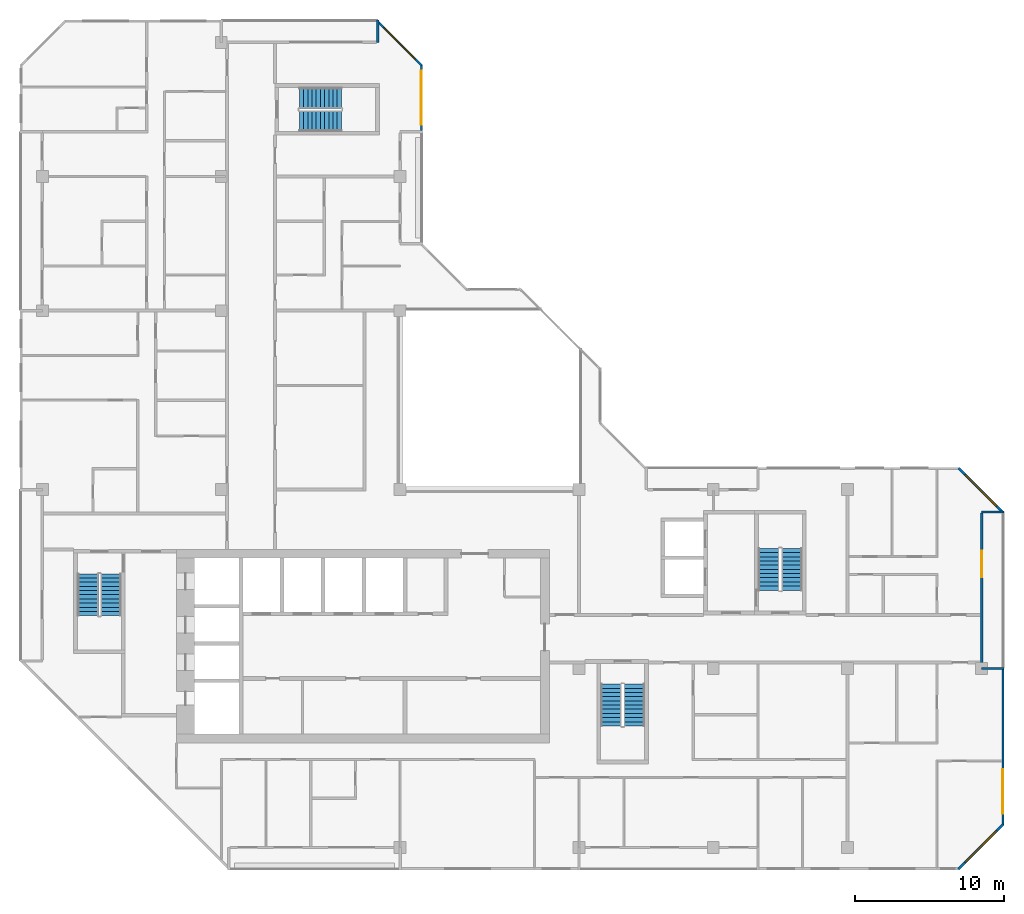
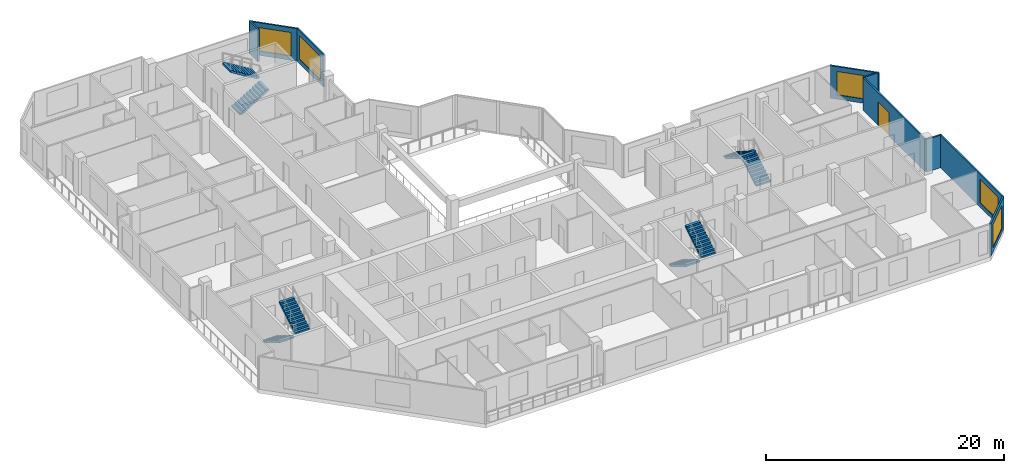
# One storey, part 11 of 13: 9 walls, 8 stair flights, 5 windows, 1 door, 6 openings, 4 elements without a shape of their own.
"""IFC4 building model written with IfcOpenShell, lengths in metres."""

from ifc_helpers import new_model, si_unit, direction, frame, frame_2d, origin, place, context, subcontext, project, spatial, polyline, rectangle, outline, extrude, material, layer, layer_set, type_object, element, fill, aggregate, save


model = new_model("IFC4")

# Units and contexts
model_context = context("Model", 3, precision=1e-05, world=origin(), true_north=direction((0.0, 1.0)))
body_context = subcontext(model_context, "Body", "Model", "MODEL_VIEW")
ifc_project = project(units=[si_unit("LENGTHUNIT", "METRE"), si_unit("AREAUNIT", "SQUARE_METRE"), si_unit("VOLUMEUNIT", "CUBIC_METRE"), si_unit("PLANEANGLEUNIT", "RADIAN"), si_unit("MASSUNIT", "GRAM", prefix="KILO")], contexts=[model_context])

# Site, building, storey
site_placement = place(None, origin())
site = spatial("IfcSite", under=ifc_project, at=site_placement, CompositionType="ELEMENT")
building_placement = place(site_placement, origin())
building = spatial("IfcBuilding", under=site, at=building_placement, Name="Chenar Terraces", CompositionType="ELEMENT")
storey_placement = place(building_placement, frame((0.0, 0.0, 314.64990234375)))
storey = spatial("IfcBuildingStorey", under=building, at=storey_placement, Name="L74", CompositionType="ELEMENT", Elevation=314.64990234375)

# Wall, opening, window
ifc_material_1 = material(Name="Aluminium framed glazing", Category="aluminium")
ifc_layer_1 = layer(ifc_material_1, 0.14990234375)
ifc_layer_set_1 = layer_set([ifc_layer_1], Name="Aluminium framed glazing")
wall_type_1 = type_object("IfcWallType", Name="Glazed flush facade wall 150", PredefinedType="SOLIDWALL", material=ifc_layer_set_1)
wall_1_placement = place(storey_placement, frame((25.425048828125, 48.074951171875, 0.0), z_axis=(0.0, 0.0, 1.0), x_axis=(0.0, 1.0, 0.0)))
wall_1 = element("IfcWall", 1, at=wall_1_placement, inside=storey, type_object=wall_type_1, Name="Glazed flush facade wall", PredefinedType="SOLIDWALL", context=body_context, shape_type="SweptSolid", body=[
    extrude(rectangle(XDim=4.425048828125, YDim=0.14990234375, at=frame_2d((2.21240234375, 0.0))), origin(), (0.0, 0.0, 1.0), 3.35009765625),
])
opening_1_placement = place(wall_1_placement, frame((0.41259765625, 0.0, 0.449951171875)))
opening_1 = element("IfcOpeningElement", 2, at=opening_1_placement, cuts=wall_1, Name="Opening W360x240", PredefinedType="OPENING", context=body_context, shape_type="SweptSolid", body=[
    extrude(rectangle(XDim=3.60009765625, YDim=2.39990234375, at=frame_2d((1.800048828125, 1.199951171875))), frame((0.0, 0.0849609375, 0.0), z_axis=(0.0, -1.0, 0.0), x_axis=(1.0, 0.0, 0.0)), (0.0, 0.0, 1.0), 0.169921875),
])
ifc_material_2 = material(Name="Low emissivity double glazing, aluminium frame", Category="aluminium")
window_type_1 = type_object("IfcWindowType", Name="Fixed light 3600 x 2400", PartitioningType="SINGLE_PANEL", PredefinedType="WINDOW", material=ifc_material_2)
window_1_placement = place(opening_1_placement, origin())
window_1 = element("IfcWindow", 3, at=window_1_placement, inside=storey, type_object=window_type_1, Name="Window", OverallHeight=2.39990234375, OverallWidth=3.60009765625, PartitioningType="SINGLE_PANEL", PredefinedType="WINDOW", context=body_context, shape_type="SweptSolid", body=[
    extrude(rectangle(XDim=3.60009765625, YDim=2.39990234375, at=frame_2d((1.800048828125, 1.199951171875))), frame((0.0, 0.030029296875, 0.0), z_axis=(0.0, -1.0, 0.0), x_axis=(1.0, 0.0, 0.0)), (0.0, 0.0, 1.0), 0.06005859375),
])
fill(opening_1, window_1)

wall_2_placement = place(storey_placement, frame((64.425048828125, 1.5, 0.0), z_axis=(0.0, 0.0, 1.0), x_axis=(0.0, 1.0, 0.0)))
wall_2 = element("IfcWall", 4, at=wall_2_placement, inside=storey, type_object=wall_type_1, Name="Glazed flush facade wall", PredefinedType="SOLIDWALL", context=body_context, shape_type="SweptSolid", body=[
    extrude(rectangle(XDim=10.425048828125, YDim=0.14990234375, at=frame_2d((5.21240234375, 0.0))), origin(), (0.0, 0.0, 1.0), 3.35009765625),
])
opening_2_placement = place(wall_2_placement, frame((0.75, 0.0, 0.449951171875)))
opening_2 = element("IfcOpeningElement", 5, at=opening_2_placement, cuts=wall_2, Name="Opening W300x240", PredefinedType="OPENING", context=body_context, shape_type="SweptSolid", body=[
    extrude(rectangle(XDim=3.0, YDim=2.39990234375, at=frame_2d((1.5, 1.199951171875))), frame((0.0, 0.0849609375, 0.0), z_axis=(0.0, -1.0, 0.0), x_axis=(1.0, 0.0, 0.0)), (0.0, 0.0, 1.0), 0.169921875),
])
ifc_material_3 = material(Name="Low emissivity double glazing, aluminium frame", Category="aluminium")
window_type_2 = type_object("IfcWindowType", Name="Fixed light 3000 x 2400", PartitioningType="SINGLE_PANEL", PredefinedType="WINDOW", material=ifc_material_3)
window_2_placement = place(opening_2_placement, origin())
window_2 = element("IfcWindow", 6, at=window_2_placement, inside=storey, type_object=window_type_2, Name="Window", OverallHeight=2.39990234375, OverallWidth=3.0, PartitioningType="SINGLE_PANEL", PredefinedType="WINDOW", context=body_context, shape_type="SweptSolid", body=[
    extrude(rectangle(XDim=3.0, YDim=2.39990234375, at=frame_2d((1.5, 1.199951171875))), frame((0.0, 0.030029296875, 0.0), z_axis=(0.0, -1.0, 0.0), x_axis=(1.0, 0.0, 0.0)), (0.0, 0.0, 1.0), 0.06005859375),
])
fill(opening_2, window_2)

# Wall, opening, door
ifc_material_4 = material(Name="Aluminium framed glazing", Category="aluminium")
ifc_layer_2 = layer(ifc_material_4, 0.14990234375)
ifc_layer_set_2 = layer_set([ifc_layer_2], Name="Aluminium framed glazing")
wall_type_2 = type_object("IfcWallType", Name="Glazed loggia back wall 150", PredefinedType="SOLIDWALL", material=ifc_layer_set_2)
wall_3_placement = place(storey_placement, frame((63.0, 12.074951171875, 0.0), z_axis=(0.0, 0.0, 1.0), x_axis=(0.0, 1.0, 0.0)))
wall_3 = element("IfcWall", 7, at=wall_3_placement, inside=storey, type_object=wall_type_2, Name="Glazed loggia back wall", PredefinedType="SOLIDWALL", context=body_context, shape_type="SweptSolid", body=[
    extrude(rectangle(XDim=10.35009765625, YDim=0.14990234375, at=frame_2d((5.175048828125, 0.0))), origin(), (0.0, 0.0, 1.0), 3.35009765625),
])
opening_3_placement = place(wall_3_placement, frame((6.03759765625, 0.0, 0.0)))
opening_3 = element("IfcOpeningElement", 8, at=opening_3_placement, cuts=wall_3, Name="Opening DL74-G6", PredefinedType="OPENING", context=body_context, shape_type="SweptSolid", body=[
    extrude(rectangle(XDim=1.800048828125, YDim=2.39990234375, at=frame_2d((0.89990234375, 1.199951171875))), frame((0.0, 0.0849609375, 0.0), z_axis=(0.0, -1.0, 0.0), x_axis=(1.0, 0.0, 0.0)), (0.0, 0.0, 1.0), 0.169921875),
])
ifc_material_5 = material(Name="Low emissivity double glazing, aluminium frame", Category="aluminium")
door_type = type_object("IfcDoorType", Name="Loggia glazed double door 1800 x 2400", OperationType="DOUBLE_DOOR_SINGLE_SWING", PredefinedType="DOOR", material=ifc_material_5)
door_placement = place(opening_3_placement, frame((1.800048828125, 0.0, 0.0), z_axis=(0.0, 0.0, 1.0), x_axis=(-1.0, 0.0, 0.0)))
door = element("IfcDoor", 9, at=door_placement, inside=storey, type_object=door_type, Name="Loggia glazed door", OperationType="DOUBLE_DOOR_SINGLE_SWING", OverallHeight=2.39990234375, OverallWidth=1.800048828125, PredefinedType="DOOR", context=body_context, shape_type="SweptSolid", body=[
    extrude(rectangle(XDim=1.800048828125, YDim=2.39990234375, at=frame_2d((0.89990234375, 1.199951171875))), frame((0.0, 0.02490234375, 0.0), z_axis=(0.0, -1.0, 0.0), x_axis=(1.0, 0.0, 0.0)), (0.0, 0.0, 1.0), 0.050048828125),
])
fill(opening_3, door)

# Walls
ifc_material_6 = material(Name="Terracotta cladding on insulated backing", Category="masonry")
ifc_layer_3 = layer(ifc_material_6, 0.14990234375)
ifc_layer_set_3 = layer_set([ifc_layer_3], Name="Terracotta cladding on insulated backing")
wall_type_3 = type_object("IfcWallType", Name="Loggia return wall 150", PredefinedType="SOLIDWALL", material=ifc_layer_set_3)
for number, where, z_axis, x_axis, name in (
    (10, (22.5, 55.5, 0.0), (0.0, 0.0, 1.0), (0.0, -1.0, 0.0), "Loggia return wall"),
    (11, (64.5, 12.0, 0.0), (0.0, 0.0, 1.0), (-1.0, 0.0, 0.0), "Loggia return wall"),
    (12, (64.5, 22.5, 0.0), (0.0, 0.0, 1.0), (-1.0, 0.0, 0.0), "Loggia return wall"),
):
    element("IfcWall", number, at=place(storey_placement, frame(where, z_axis=z_axis, x_axis=x_axis)), inside=storey, type_object=wall_type_3, Name=name, PredefinedType="SOLIDWALL", context=body_context, shape_type="SweptSolid", body=[
        extrude(rectangle(XDim=1.5, YDim=0.14990234375, at=frame_2d((0.75, 0.0))), origin(), (0.0, 0.0, 1.0), 3.35009765625),
    ])

# Wall, opening, window
ifc_material_7 = material(Name="Terracotta cladding on insulated backing", Category="masonry")
ifc_layer_4 = layer(ifc_material_7, 0.14990234375)
ifc_layer_set_4 = layer_set([ifc_layer_4], Name="Terracotta cladding on insulated backing")
wall_type_4 = type_object("IfcWallType", Name="Terracotta rainscreen wall 150", PredefinedType="SOLIDWALL", material=ifc_layer_set_4)
wall_4_placement = place(storey_placement, frame((25.447021484375, 52.447021484375, 0.0), z_axis=(0.0, 0.0, 1.0), x_axis=(-0.707106781187, 0.707106781187, 0.0)))
wall_4 = element("IfcWall", 13, at=wall_4_placement, inside=storey, type_object=wall_type_4, Name="Terracotta rainscreen wall", PredefinedType="SOLIDWALL", context=body_context, shape_type="SweptSolid", body=[
    extrude(rectangle(XDim=4.24267578125, YDim=0.14990234375, at=frame_2d((2.121337890625, 0.0))), origin(), (0.0, 0.0, 1.0), 3.35009765625),
])
opening_4_placement = place(wall_4_placement, frame((0.621337890625, 0.0, 0.449951171875)))
opening_4 = element("IfcOpeningElement", 14, at=opening_4_placement, cuts=wall_4, Name="Opening W300x240", PredefinedType="OPENING", context=body_context, shape_type="SweptSolid", body=[
    extrude(rectangle(XDim=3.0, YDim=2.39990234375, at=frame_2d((1.5, 1.199951171875))), frame((0.0, 0.0849609375, 0.0), z_axis=(0.0, -1.0, 0.0), x_axis=(1.0, 0.0, 0.0)), (0.0, 0.0, 1.0), 0.169921875),
])
window_3_placement = place(opening_4_placement, origin())
window_3 = element("IfcWindow", 15, at=window_3_placement, inside=storey, type_object=window_type_2, Name="Window", OverallHeight=2.39990234375, OverallWidth=3.0, PartitioningType="SINGLE_PANEL", PredefinedType="WINDOW", context=body_context, shape_type="SweptSolid", body=[
    extrude(rectangle(XDim=3.0, YDim=2.39990234375, at=frame_2d((1.5, 1.199951171875))), frame((0.0, 0.030029296875, 0.0), z_axis=(0.0, -1.0, 0.0), x_axis=(1.0, 0.0, 0.0)), (0.0, 0.0, 1.0), 0.06005859375),
])
fill(opening_4, window_3)

wall_5_placement = place(storey_placement, frame((61.447021484375, -1.447021484375, 0.0), z_axis=(0.0, 0.0, 1.0), x_axis=(0.707106781187, 0.707106781187, 0.0)))
wall_5 = element("IfcWall", 16, at=wall_5_placement, inside=storey, type_object=wall_type_4, Name="Terracotta rainscreen wall", PredefinedType="SOLIDWALL", context=body_context, shape_type="SweptSolid", body=[
    extrude(rectangle(XDim=4.24267578125, YDim=0.14990234375, at=frame_2d((2.121337890625, 0.0))), origin(), (0.0, 0.0, 1.0), 3.35009765625),
])
opening_5_placement = place(wall_5_placement, frame((0.621337890625, 0.0, 0.449951171875)))
opening_5 = element("IfcOpeningElement", 17, at=opening_5_placement, cuts=wall_5, Name="Opening W300x240", PredefinedType="OPENING", context=body_context, shape_type="SweptSolid", body=[
    extrude(rectangle(XDim=3.0, YDim=2.39990234375, at=frame_2d((1.5, 1.199951171875))), frame((0.0, 0.0849609375, 0.0), z_axis=(0.0, -1.0, 0.0), x_axis=(1.0, 0.0, 0.0)), (0.0, 0.0, 1.0), 0.169921875),
])
window_4_placement = place(opening_5_placement, origin())
window_4 = element("IfcWindow", 18, at=window_4_placement, inside=storey, type_object=window_type_2, Name="Window", OverallHeight=2.39990234375, OverallWidth=3.0, PartitioningType="SINGLE_PANEL", PredefinedType="WINDOW", context=body_context, shape_type="SweptSolid", body=[
    extrude(rectangle(XDim=3.0, YDim=2.39990234375, at=frame_2d((1.5, 1.199951171875))), frame((0.0, 0.030029296875, 0.0), z_axis=(0.0, -1.0, 0.0), x_axis=(1.0, 0.0, 0.0)), (0.0, 0.0, 1.0), 0.06005859375),
])
fill(opening_5, window_4)

wall_6_placement = place(storey_placement, frame((64.447021484375, 22.447021484375, 0.0), z_axis=(0.0, 0.0, 1.0), x_axis=(-0.707106781187, 0.707106781187, 0.0)))
wall_6 = element("IfcWall", 19, at=wall_6_placement, inside=storey, type_object=wall_type_4, Name="Terracotta rainscreen wall", PredefinedType="SOLIDWALL", context=body_context, shape_type="SweptSolid", body=[
    extrude(rectangle(XDim=4.24267578125, YDim=0.14990234375, at=frame_2d((2.121337890625, 0.0))), origin(), (0.0, 0.0, 1.0), 3.35009765625),
])
opening_6_placement = place(wall_6_placement, frame((0.621337890625, 0.0, 0.449951171875)))
opening_6 = element("IfcOpeningElement", 20, at=opening_6_placement, cuts=wall_6, Name="Opening W300x240", PredefinedType="OPENING", context=body_context, shape_type="SweptSolid", body=[
    extrude(rectangle(XDim=3.0, YDim=2.39990234375, at=frame_2d((1.5, 1.199951171875))), frame((0.0, 0.0849609375, 0.0), z_axis=(0.0, -1.0, 0.0), x_axis=(1.0, 0.0, 0.0)), (0.0, 0.0, 1.0), 0.169921875),
])
window_5_placement = place(opening_6_placement, origin())
window_5 = element("IfcWindow", 21, at=window_5_placement, inside=storey, type_object=window_type_2, Name="Window", OverallHeight=2.39990234375, OverallWidth=3.0, PartitioningType="SINGLE_PANEL", PredefinedType="WINDOW", context=body_context, shape_type="SweptSolid", body=[
    extrude(rectangle(XDim=3.0, YDim=2.39990234375, at=frame_2d((1.5, 1.199951171875))), frame((0.0, 0.030029296875, 0.0), z_axis=(0.0, -1.0, 0.0), x_axis=(1.0, 0.0, 0.0)), (0.0, 0.0, 1.0), 0.06005859375),
])
fill(opening_6, window_5)

# Stair, stair flights
ifc_material_8 = material(Name="Reinforced concrete C40/50", Category="concrete")
stair_type = type_object("IfcStairType", Name="Core stair 1400 half-turn", PredefinedType="HALF_TURN_STAIR", material=ifc_material_8)
placement = place(storey_placement, origin())
stair_1 = element("IfcStair", 22, at=placement, inside=storey, type_object=stair_type, Name="L74 Stair 1", PredefinedType="HALF_TURN_STAIR")
ifc_material_9 = material(Name="Reinforced concrete C40/50", Category="concrete")
stair_flight_type = type_object("IfcStairFlightType", Name="Core stair flight 1400", PredefinedType="STRAIGHT", material=ifc_material_9)
stair_flight_1_placement = place(storey_placement, frame((3.050048828125, 18.35009765625, 0.0), z_axis=(0.0, 0.0, 1.0), x_axis=(0.0, -1.0, 0.0)))
stair_flight_1 = element("IfcStairFlight", 23, at=stair_flight_1_placement, type_object=stair_flight_type, Name="ST1 flight 1", NumberOfRisers=11, NumberOfTreads=10, PredefinedType="STRAIGHT", RiserHeight=0.170454545, TreadLength=0.28, context=body_context, shape_type="SweptSolid", body=[
    extrude(outline(polyline([(-0.0029296875, 0.0), (-0.0029296875, 0.17041015625), (0.0, 0.17041015625), (0.280029296875, 0.17041015625), (0.280029296875, 0.3408203125), (0.56005859375, 0.3408203125), (0.56005859375, 0.511474609375), (0.840087890625, 0.511474609375), (0.840087890625, 0.681884765625), (1.1201171875, 0.681884765625), (1.1201171875, 0.852294921875), (1.39990234375, 0.852294921875), (1.39990234375, 1.022705078125), (1.679931640625, 1.022705078125), (1.679931640625, 1.193115234375), (1.9599609375, 1.193115234375), (1.9599609375, 1.363525390625), (2.239990234375, 1.363525390625), (2.239990234375, 1.5341796875), (2.52001953125, 1.5341796875), (2.52001953125, 1.70458984375), (2.800048828125, 1.70458984375), (2.802978515625, 1.70458984375), (2.802978515625, 1.529052734375), (2.800048828125, 1.529052734375), (0.288330078125, 0.0), (-0.0029296875, 0.0)])), frame((0.0, 0.699951171875, 0.0), z_axis=(0.0, -1.0, 0.0), x_axis=(1.0, 0.0, 0.0)), (0.0, 0.0, 1.0), 1.39990234375),
])
stair_flight_2_placement = place(storey_placement, frame((4.60009765625, 15.550048828125, 1.875), z_axis=(0.0, 0.0, 1.0), x_axis=(0.0, 1.0, 0.0)))
stair_flight_2 = element("IfcStairFlight", 24, at=stair_flight_2_placement, type_object=stair_flight_type, Name="ST1 flight 2", NumberOfRisers=11, NumberOfTreads=10, PredefinedType="STRAIGHT", RiserHeight=0.170454545, TreadLength=0.28, context=body_context, shape_type="SweptSolid", body=[
    extrude(outline(polyline([(-0.0029296875, 0.0), (-0.0029296875, 0.17041015625), (0.0, 0.17041015625), (0.280029296875, 0.17041015625), (0.280029296875, 0.3408203125), (0.56005859375, 0.3408203125), (0.56005859375, 0.511474609375), (0.840087890625, 0.511474609375), (0.840087890625, 0.681884765625), (1.1201171875, 0.681884765625), (1.1201171875, 0.852294921875), (1.39990234375, 0.852294921875), (1.39990234375, 1.022705078125), (1.679931640625, 1.022705078125), (1.679931640625, 1.193115234375), (1.9599609375, 1.193115234375), (1.9599609375, 1.363525390625), (2.239990234375, 1.363525390625), (2.239990234375, 1.5341796875), (2.52001953125, 1.5341796875), (2.52001953125, 1.70458984375), (2.800048828125, 1.70458984375), (2.802978515625, 1.70458984375), (2.802978515625, 1.529052734375), (2.800048828125, 1.529052734375), (0.288330078125, 0.0), (-0.0029296875, 0.0)])), frame((0.0, 0.699951171875, 0.0), z_axis=(0.0, -1.0, 0.0), x_axis=(1.0, 0.0, 0.0)), (0.0, 0.0, 1.0), 1.39990234375),
])
aggregate(stair_1, [stair_flight_1, stair_flight_2])

stair_2 = element("IfcStair", 25, at=placement, inside=storey, type_object=stair_type, Name="L74 Stair 2", PredefinedType="HALF_TURN_STAIR")
stair_flight_3_placement = place(storey_placement, frame((38.14990234375, 10.949951171875, 0.0), z_axis=(0.0, 0.0, 1.0), x_axis=(0.0, -1.0, 0.0)))
stair_flight_3 = element("IfcStairFlight", 26, at=stair_flight_3_placement, type_object=stair_flight_type, Name="ST2 flight 1", NumberOfRisers=11, NumberOfTreads=10, PredefinedType="STRAIGHT", RiserHeight=0.170454545, TreadLength=0.28, context=body_context, shape_type="SweptSolid", body=[
    extrude(outline(polyline([(-0.0029296875, 0.0), (-0.0029296875, 0.17041015625), (0.0, 0.17041015625), (0.280029296875, 0.17041015625), (0.280029296875, 0.3408203125), (0.56005859375, 0.3408203125), (0.56005859375, 0.511474609375), (0.840087890625, 0.511474609375), (0.840087890625, 0.681884765625), (1.1201171875, 0.681884765625), (1.1201171875, 0.852294921875), (1.39990234375, 0.852294921875), (1.39990234375, 1.022705078125), (1.679931640625, 1.022705078125), (1.679931640625, 1.193115234375), (1.9599609375, 1.193115234375), (1.9599609375, 1.363525390625), (2.239990234375, 1.363525390625), (2.239990234375, 1.5341796875), (2.52001953125, 1.5341796875), (2.52001953125, 1.70458984375), (2.800048828125, 1.70458984375), (2.802978515625, 1.70458984375), (2.802978515625, 1.529052734375), (2.800048828125, 1.529052734375), (0.288330078125, 0.0), (-0.0029296875, 0.0)])), frame((0.0, 0.699951171875, 0.0), z_axis=(0.0, -1.0, 0.0), x_axis=(1.0, 0.0, 0.0)), (0.0, 0.0, 1.0), 1.39990234375),
])
stair_flight_4_placement = place(storey_placement, frame((39.699951171875, 8.14990234375, 1.875), z_axis=(0.0, 0.0, 1.0), x_axis=(0.0, 1.0, 0.0)))
stair_flight_4 = element("IfcStairFlight", 27, at=stair_flight_4_placement, type_object=stair_flight_type, Name="ST2 flight 2", NumberOfRisers=11, NumberOfTreads=10, PredefinedType="STRAIGHT", RiserHeight=0.170454545, TreadLength=0.28, context=body_context, shape_type="SweptSolid", body=[
    extrude(outline(polyline([(-0.0029296875, 0.0), (-0.0029296875, 0.17041015625), (0.0, 0.17041015625), (0.280029296875, 0.17041015625), (0.280029296875, 0.3408203125), (0.56005859375, 0.3408203125), (0.56005859375, 0.511474609375), (0.840087890625, 0.511474609375), (0.840087890625, 0.681884765625), (1.1201171875, 0.681884765625), (1.1201171875, 0.852294921875), (1.39990234375, 0.852294921875), (1.39990234375, 1.022705078125), (1.679931640625, 1.022705078125), (1.679931640625, 1.193115234375), (1.9599609375, 1.193115234375), (1.9599609375, 1.363525390625), (2.239990234375, 1.363525390625), (2.239990234375, 1.5341796875), (2.52001953125, 1.5341796875), (2.52001953125, 1.70458984375), (2.800048828125, 1.70458984375), (2.802978515625, 1.70458984375), (2.802978515625, 1.529052734375), (2.800048828125, 1.529052734375), (0.288330078125, 0.0), (-0.0029296875, 0.0)])), frame((0.0, 0.699951171875, 0.0), z_axis=(0.0, -1.0, 0.0), x_axis=(1.0, 0.0, 0.0)), (0.0, 0.0, 1.0), 1.39990234375),
])
aggregate(stair_2, [stair_flight_3, stair_flight_4])

stair_3 = element("IfcStair", 28, at=placement, inside=storey, type_object=stair_type, Name="L74 Stair 3", PredefinedType="HALF_TURN_STAIR")
stair_flight_5_placement = place(storey_placement, frame((50.27490234375, 17.25, 0.0), z_axis=(0.0, 0.0, 1.0), x_axis=(0.0, 1.0, 0.0)))
stair_flight_5 = element("IfcStairFlight", 29, at=stair_flight_5_placement, type_object=stair_flight_type, Name="ST3 flight 1", NumberOfRisers=11, NumberOfTreads=10, PredefinedType="STRAIGHT", RiserHeight=0.170454545, TreadLength=0.28, context=body_context, shape_type="SweptSolid", body=[
    extrude(outline(polyline([(-0.0029296875, 0.0), (-0.0029296875, 0.17041015625), (0.0, 0.17041015625), (0.280029296875, 0.17041015625), (0.280029296875, 0.3408203125), (0.56005859375, 0.3408203125), (0.56005859375, 0.511474609375), (0.840087890625, 0.511474609375), (0.840087890625, 0.681884765625), (1.1201171875, 0.681884765625), (1.1201171875, 0.852294921875), (1.39990234375, 0.852294921875), (1.39990234375, 1.022705078125), (1.679931640625, 1.022705078125), (1.679931640625, 1.193115234375), (1.9599609375, 1.193115234375), (1.9599609375, 1.363525390625), (2.239990234375, 1.363525390625), (2.239990234375, 1.5341796875), (2.52001953125, 1.5341796875), (2.52001953125, 1.70458984375), (2.800048828125, 1.70458984375), (2.802978515625, 1.70458984375), (2.802978515625, 1.529052734375), (2.800048828125, 1.529052734375), (0.288330078125, 0.0), (-0.0029296875, 0.0)])), frame((0.0, 0.699951171875, 0.0), z_axis=(0.0, -1.0, 0.0), x_axis=(1.0, 0.0, 0.0)), (0.0, 0.0, 1.0), 1.39990234375),
])
stair_flight_6_placement = place(storey_placement, frame((48.72509765625, 20.050048828125, 1.875), z_axis=(0.0, 0.0, 1.0), x_axis=(0.0, -1.0, 0.0)))
stair_flight_6 = element("IfcStairFlight", 30, at=stair_flight_6_placement, type_object=stair_flight_type, Name="ST3 flight 2", NumberOfRisers=11, NumberOfTreads=10, PredefinedType="STRAIGHT", RiserHeight=0.170454545, TreadLength=0.28, context=body_context, shape_type="SweptSolid", body=[
    extrude(outline(polyline([(-0.0029296875, 0.0), (-0.0029296875, 0.17041015625), (0.0, 0.17041015625), (0.280029296875, 0.17041015625), (0.280029296875, 0.3408203125), (0.56005859375, 0.3408203125), (0.56005859375, 0.511474609375), (0.840087890625, 0.511474609375), (0.840087890625, 0.681884765625), (1.1201171875, 0.681884765625), (1.1201171875, 0.852294921875), (1.39990234375, 0.852294921875), (1.39990234375, 1.022705078125), (1.679931640625, 1.022705078125), (1.679931640625, 1.193115234375), (1.9599609375, 1.193115234375), (1.9599609375, 1.363525390625), (2.239990234375, 1.363525390625), (2.239990234375, 1.5341796875), (2.52001953125, 1.5341796875), (2.52001953125, 1.70458984375), (2.800048828125, 1.70458984375), (2.802978515625, 1.70458984375), (2.802978515625, 1.529052734375), (2.800048828125, 1.529052734375), (0.288330078125, 0.0), (-0.0029296875, 0.0)])), frame((0.0, 0.699951171875, 0.0), z_axis=(0.0, -1.0, 0.0), x_axis=(1.0, 0.0, 0.0)), (0.0, 0.0, 1.0), 1.39990234375),
])
aggregate(stair_3, [stair_flight_5, stair_flight_6])

stair_4 = element("IfcStair", 31, at=placement, inside=storey, type_object=stair_type, Name="L74 Stair 4", PredefinedType="HALF_TURN_STAIR")
stair_flight_7_placement = place(storey_placement, frame((17.25, 48.72509765625, 0.0), z_axis=(0.0, 0.0, 1.0), x_axis=(1.0, 0.0, 0.0)))
stair_flight_7 = element("IfcStairFlight", 32, at=stair_flight_7_placement, type_object=stair_flight_type, Name="ST4 flight 1", NumberOfRisers=11, NumberOfTreads=10, PredefinedType="STRAIGHT", RiserHeight=0.170454545, TreadLength=0.28, context=body_context, shape_type="SweptSolid", body=[
    extrude(outline(polyline([(-0.0029296875, 0.0), (-0.0029296875, 0.17041015625), (0.0, 0.17041015625), (0.280029296875, 0.17041015625), (0.280029296875, 0.3408203125), (0.56005859375, 0.3408203125), (0.56005859375, 0.511474609375), (0.840087890625, 0.511474609375), (0.840087890625, 0.681884765625), (1.1201171875, 0.681884765625), (1.1201171875, 0.852294921875), (1.39990234375, 0.852294921875), (1.39990234375, 1.022705078125), (1.679931640625, 1.022705078125), (1.679931640625, 1.193115234375), (1.9599609375, 1.193115234375), (1.9599609375, 1.363525390625), (2.239990234375, 1.363525390625), (2.239990234375, 1.5341796875), (2.52001953125, 1.5341796875), (2.52001953125, 1.70458984375), (2.800048828125, 1.70458984375), (2.802978515625, 1.70458984375), (2.802978515625, 1.529052734375), (2.800048828125, 1.529052734375), (0.288330078125, 0.0), (-0.0029296875, 0.0)])), frame((0.0, 0.699951171875, 0.0), z_axis=(0.0, -1.0, 0.0), x_axis=(1.0, 0.0, 0.0)), (0.0, 0.0, 1.0), 1.39990234375),
])
stair_flight_8_placement = place(storey_placement, frame((20.050048828125, 50.27490234375, 1.875), z_axis=(0.0, 0.0, 1.0), x_axis=(-1.0, 0.0, 0.0)))
stair_flight_8 = element("IfcStairFlight", 33, at=stair_flight_8_placement, type_object=stair_flight_type, Name="ST4 flight 2", NumberOfRisers=11, NumberOfTreads=10, PredefinedType="STRAIGHT", RiserHeight=0.170454545, TreadLength=0.28, context=body_context, shape_type="SweptSolid", body=[
    extrude(outline(polyline([(-0.0029296875, 0.0), (-0.0029296875, 0.17041015625), (0.0, 0.17041015625), (0.280029296875, 0.17041015625), (0.280029296875, 0.3408203125), (0.56005859375, 0.3408203125), (0.56005859375, 0.511474609375), (0.840087890625, 0.511474609375), (0.840087890625, 0.681884765625), (1.1201171875, 0.681884765625), (1.1201171875, 0.852294921875), (1.39990234375, 0.852294921875), (1.39990234375, 1.022705078125), (1.679931640625, 1.022705078125), (1.679931640625, 1.193115234375), (1.9599609375, 1.193115234375), (1.9599609375, 1.363525390625), (2.239990234375, 1.363525390625), (2.239990234375, 1.5341796875), (2.52001953125, 1.5341796875), (2.52001953125, 1.70458984375), (2.800048828125, 1.70458984375), (2.802978515625, 1.70458984375), (2.802978515625, 1.529052734375), (2.800048828125, 1.529052734375), (0.288330078125, 0.0), (-0.0029296875, 0.0)])), frame((0.0, 0.699951171875, 0.0), z_axis=(0.0, -1.0, 0.0), x_axis=(1.0, 0.0, 0.0)), (0.0, 0.0, 1.0), 1.39990234375),
])
aggregate(stair_4, [stair_flight_7, stair_flight_8])

save(model, "model.ifc")
